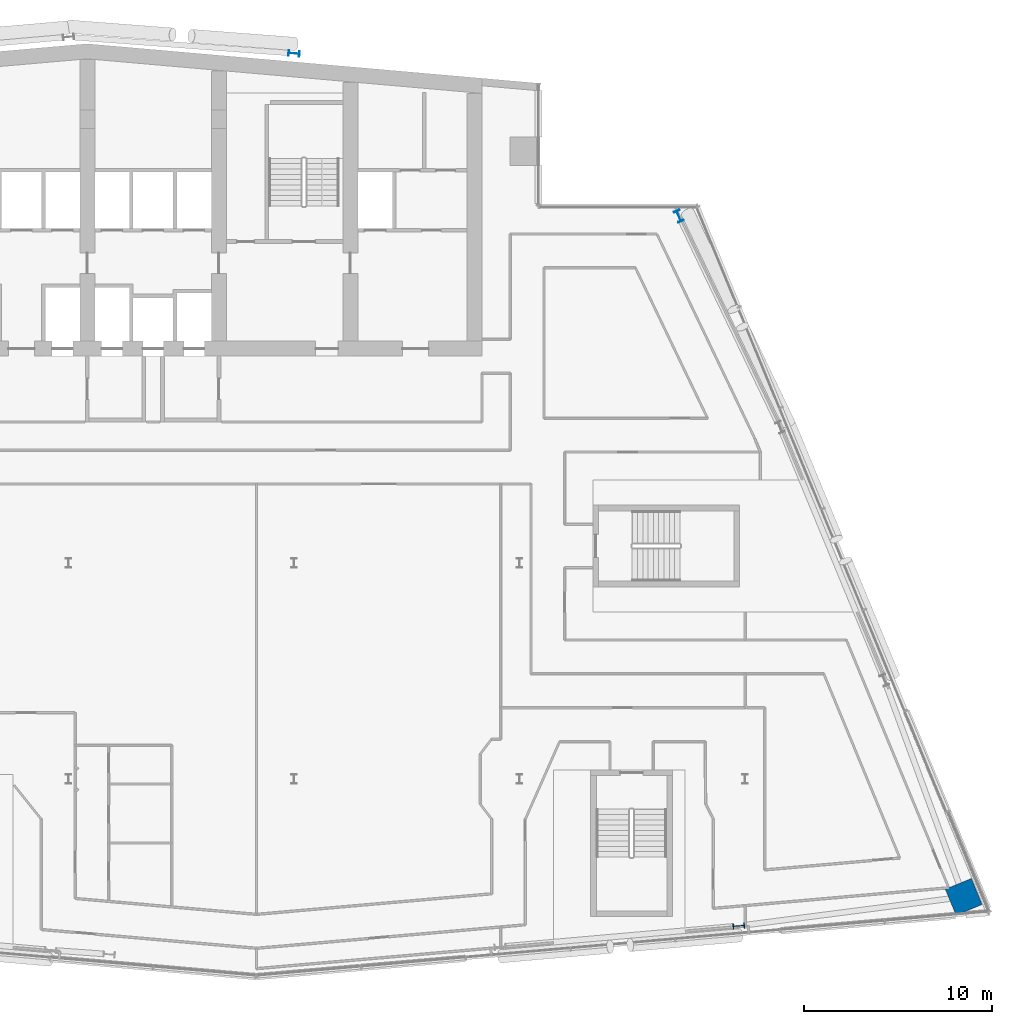
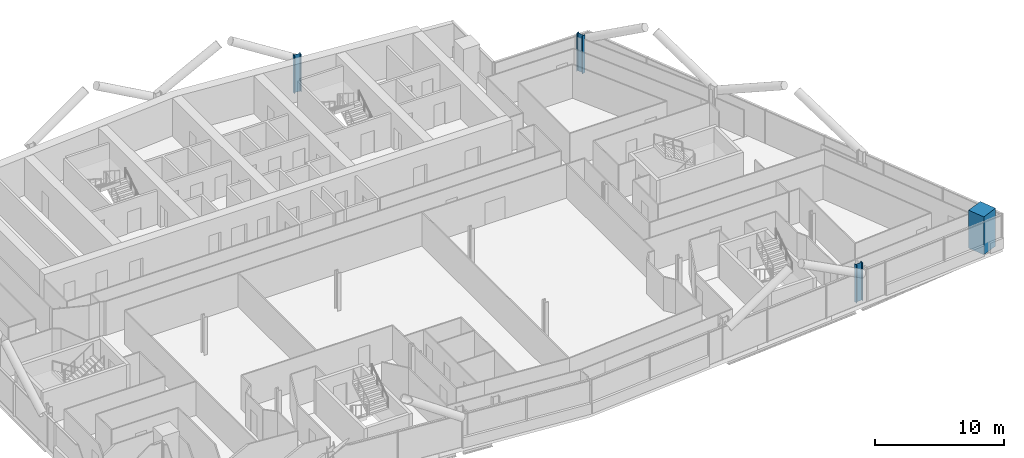
# One storey, part 4 of 27: 4 columns.
"""IFC4 building model written with IfcOpenShell, lengths in metres."""

from ifc_helpers import new_model, si_unit, direction, frame, origin, origin_2d, place, context, subcontext, project, spatial, rectangle, i_section, extrude, material, material_profile, profile_set, type_object, element, save


model = new_model("IFC4")

# Units and contexts
model_context = context("Model", 3, precision=1e-05, world=origin(), true_north=direction((0.0, 1.0)))
body_context = subcontext(model_context, "Body", "Model", "MODEL_VIEW")
ifc_project = project(units=[si_unit("LENGTHUNIT", "METRE"), si_unit("AREAUNIT", "SQUARE_METRE"), si_unit("VOLUMEUNIT", "CUBIC_METRE"), si_unit("PLANEANGLEUNIT", "RADIAN"), si_unit("MASSUNIT", "GRAM", prefix="KILO")], contexts=[model_context])

# Site, building, storey
site_placement = place(None, origin())
site = spatial("IfcSite", under=ifc_project, at=site_placement, CompositionType="ELEMENT")
building_placement = place(site_placement, origin())
building = spatial("IfcBuilding", under=site, at=building_placement, Name="Wharfspan Tower", CompositionType="ELEMENT")
storey_placement = place(building_placement, frame((0.0, 0.0, 191.5)))
storey = spatial("IfcBuildingStorey", under=building, at=storey_placement, Name="L47", CompositionType="ELEMENT", Elevation=191.5)

# Columns
ifc_material_1 = material(Name="Steel S355J2", Category="steel")
ifc_material_profile_1 = material_profile(ifc_material_1, i_section(OverallWidth=0.300049, OverallDepth=0.600098, WebThickness=0.015381, FlangeThickness=0.030029, FilletRadius=0.0271, at=origin_2d()))
ifc_profile_set_1 = profile_set([ifc_material_profile_1], Name="Steel S355J2")
column_type_1 = type_object("IfcColumnType", Name="Column HEB 600", PredefinedType="COLUMN", material=ifc_profile_set_1)
column_1_placement = place(storey_placement, frame((48.0, 50.112305, 0.0), z_axis=(0.0, 0.0, 1.0), x_axis=(0.087156, 0.996198, 0.0)))
element("IfcColumn", 1, at=column_1_placement, inside=storey, type_object=column_type_1, Name="Rear column R.3 L47", PredefinedType="COLUMN", context=body_context, shape_type="SweptSolid", body=[
    extrude(i_section(OverallWidth=0.300049, OverallDepth=0.600098, WebThickness=0.015381, FlangeThickness=0.030029, FilletRadius=0.0271, at=origin_2d()), origin(), (0.0, 0.0, 1.0), 3.600098),
])
ifc_material_profile_2 = material_profile(ifc_material_1, i_section(OverallWidth=0.304932, OverallDepth=0.620117, WebThickness=0.020996, FlangeThickness=0.040039, FilletRadius=0.0271, at=origin_2d()))
ifc_profile_set_2 = profile_set([ifc_material_profile_2], Name="Steel S355J2")
column_type_2 = type_object("IfcColumnType", Name="Column HEM 600", PredefinedType="COLUMN", material=ifc_profile_set_2)
for number, where, z_axis, x_axis, name in (
    (2, (71.661865, 3.684814, 0.0), (0.0, 0.0, 1.0), (0.087156, -0.996198, 0.0), "Perimeter column PS2.2 L47"),
    (3, (68.471924, 41.450439, 0.0), (0.0, 0.0, 1.0), (0.924325, 0.381602, 0.0), "Perimeter column PE.3 L47"),
):
    element("IfcColumn", number, at=place(storey_placement, frame(where, z_axis=z_axis, x_axis=x_axis)), inside=storey, type_object=column_type_2, Name=name, PredefinedType="COLUMN", context=body_context, shape_type="SweptSolid", body=[
        extrude(i_section(OverallWidth=0.304932, OverallDepth=0.620117, WebThickness=0.020996, FlangeThickness=0.040039, FilletRadius=0.0271, at=origin_2d()), origin(), (0.0, 0.0, 1.0), 3.600098),
    ])
ifc_material_2 = material(Name="Concrete C60/75", Category="concrete")
ifc_material_profile_3 = material_profile(ifc_material_2, rectangle(XDim=1.5, YDim=1.5, at=origin_2d()))
ifc_profile_set_3 = profile_set([ifc_material_profile_3], Name="Concrete C60/75")
column_type_3 = type_object("IfcColumnType", Name="Mega column 1500 C60/75", PredefinedType="COLUMN", material=ifc_profile_set_3)
column_2_placement = place(storey_placement, frame((83.632568, 5.230713, 0.0), z_axis=(0.0, 0.0, 1.0), x_axis=(-0.381602, 0.924325, 0.0)))
element("IfcColumn", 4, at=column_2_placement, inside=storey, type_object=column_type_3, Name="Mega column MC4 L47", PredefinedType="COLUMN", context=body_context, shape_type="SweptSolid", body=[
    extrude(rectangle(XDim=1.5, YDim=1.5, at=origin_2d()), origin(), (0.0, 0.0, 1.0), 3.600098),
])

save(model, "model.ifc")
